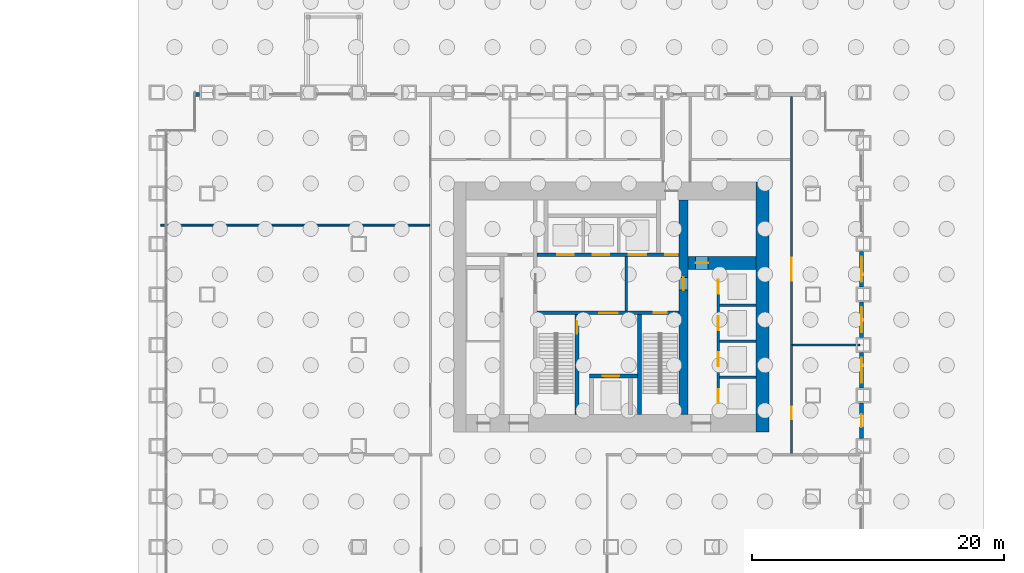
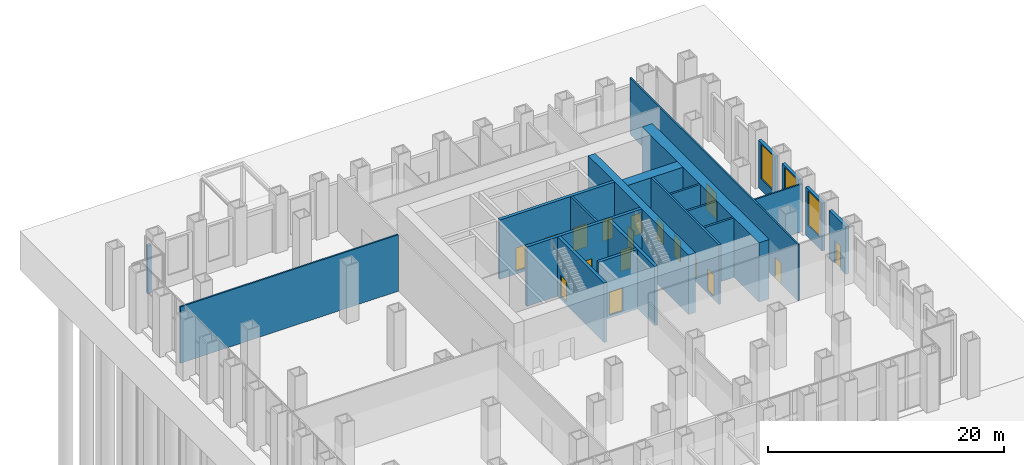
# One storey, part 13 of 17: 21 walls, 17 doors, 3 windows, 20 openings.
"""IFC4 building model written with IfcOpenShell, lengths in metres."""

import ifcopenshell
import ifcopenshell.guid

model = None  # the IFC model being written
_history = None  # IfcOwnerHistory: only IFC2X3 demands one
_inside = {}  # id of a spatial element -> (the spatial element, [elements in it])
_under = {}  # id of a project, library or spatial element -> (it, [spatial elements below it])
_declared = {}  # id of a project -> (the project, [libraries it declares])
_typed = {}  # id of a type object -> (the type object, [elements of that type])
_made_of = {}  # id of a material, layer set ... -> (it, [elements and type objects made of it])


def new_model(schema):
    """Start an empty IFC model of exactly this schema.

    Asked for "IFC4X3", IfcOpenShell would pick the latest addendum, in which some entities
    have other attributes; the version numbers below select the first issue.
    IFC2X3 requires an IfcOwnerHistory on every rooted entity: one is made here for all.
    """
    global model, _history
    if schema == "IFC4X3":
        model = ifcopenshell.file(schema_version=(4, 3, 0, 0))
    else:
        model = ifcopenshell.file(schema=schema)
    _inside.clear()
    _under.clear()
    _declared.clear()
    _typed.clear()
    _made_of.clear()
    _history = None
    if model.schema == "IFC2X3":
        org = make("IfcOrganization", Name="unknown")
        user = make(
            "IfcPersonAndOrganization",
            ThePerson=make("IfcPerson", FamilyName="unknown"),
            TheOrganization=org,
        )
        app = make(
            "IfcApplication",
            ApplicationDeveloper=org,
            Version="unknown",
            ApplicationFullName="unknown",
            ApplicationIdentifier="unknown",
        )
        _history = make(
            "IfcOwnerHistory",
            OwningUser=user,
            OwningApplication=app,
            ChangeAction="ADDED",
            CreationDate=0,
        )
    return model


def make(cls, **values):
    """One entity of the class cls with the attributes given. An attribute that is None is left unset."""
    return model.create_entity(
        cls, **{name: value for name, value in values.items() if value is not None}
    )


def rooted(cls, **values):
    """An entity with a GlobalId (a new one), such as an element, a storey or a relation."""
    return make(cls, GlobalId=ifcopenshell.guid.new(), OwnerHistory=_history, **values)


def si_unit(unit_type, name, prefix=None):
    """IfcSIUnit, for example si_unit("LENGTHUNIT", "METRE", prefix="MILLI")."""
    return make("IfcSIUnit", UnitType=unit_type, Prefix=prefix, Name=name)


def assignment(units):
    """IfcUnitAssignment: the units of a project."""
    return None if units is None else make("IfcUnitAssignment", Units=units)


def point(xyz):
    """IfcCartesianPoint."""
    return None if xyz is None else make("IfcCartesianPoint", Coordinates=xyz)


def direction(xyz):
    """IfcDirection."""
    return None if xyz is None else make("IfcDirection", DirectionRatios=xyz)


def frame(location, z_axis=None, x_axis=None):
    """IfcAxis2Placement3D, a coordinate frame: its origin and axes. An axis left out is left unset."""
    return make(
        "IfcAxis2Placement3D",
        Location=point(location),
        Axis=direction(z_axis),
        RefDirection=direction(x_axis),
    )


def frame_2d(location, x_axis=None):
    """IfcAxis2Placement2D, a coordinate frame in the plane: its origin and x axis."""
    return make(
        "IfcAxis2Placement2D", Location=point(location), RefDirection=direction(x_axis)
    )


def origin():
    """The frame at (0, 0, 0) with its axes left unset."""
    return frame((0.0, 0.0, 0.0))


def place(relative_to, where):
    """IfcLocalPlacement: puts the frame where relative to a parent placement (None: the world)."""
    return make(
        "IfcLocalPlacement", PlacementRelTo=relative_to, RelativePlacement=where
    )


def context(
    kind, dimensions, precision=None, world=None, true_north=None, identifier=None
):
    """IfcGeometricRepresentationContext, for example the 3D "Model" context."""
    return make(
        "IfcGeometricRepresentationContext",
        ContextIdentifier=identifier,
        ContextType=kind,
        CoordinateSpaceDimension=dimensions,
        Precision=precision,
        WorldCoordinateSystem=world,
        TrueNorth=true_north,
    )


def subcontext(parent, identifier, kind, view, scale=None):
    """IfcGeometricRepresentationSubContext, for example "Body" below "Model"."""
    return make(
        "IfcGeometricRepresentationSubContext",
        ContextIdentifier=identifier,
        ContextType=kind,
        ParentContext=parent,
        TargetScale=scale,
        TargetView=view,
    )


def project(units=None, contexts=None):
    """IfcProject with its units and contexts."""
    return rooted(
        "IfcProject",
        Name="project",
        RepresentationContexts=contexts,
        UnitsInContext=assignment(units),
    )


def spatial(cls, under=None, at=None, **own):
    """A site, building, storey or space (cls), placed at a placement, below another one or the project."""
    s = rooted(cls, ObjectPlacement=at, **own)
    if under is not None:
        _under.setdefault(under.id(), (under, []))[1].append(s)
    return s


def profile(cls, at=None, kind="AREA", **sizes):
    """A parametric profile (cls). Its sizes go by their IFC names, for example OverallWidth=200.0."""
    return make(cls, ProfileType=kind, Position=at, **sizes)


def rectangle(**sizes):
    """IfcRectangleProfileDef."""
    return profile("IfcRectangleProfileDef", **sizes)


def extrude(swept, where, along, depth):
    """IfcExtrudedAreaSolid: the profile swept, set in the frame where, extruded along a direction by depth."""
    return make(
        "IfcExtrudedAreaSolid",
        SweptArea=swept,
        Position=where,
        ExtrudedDirection=direction(along),
        Depth=depth,
    )


def shape(context_of_items, identifier, shape_type, items):
    """IfcShapeRepresentation: the items that make up one representation, for example the "Body"."""
    return make(
        "IfcShapeRepresentation",
        ContextOfItems=context_of_items,
        RepresentationIdentifier=identifier,
        RepresentationType=shape_type,
        Items=items,
    )


def material(Name=None, Category=None):
    """IfcMaterial."""
    return make("IfcMaterial", Name=Name, Category=Category)


def layer(
    of_material, thickness, ventilated=None, Name=None, Category=None, Priority=None
):
    """IfcMaterialLayer: one layer of a wall or slab, of a material (None: an air gap)."""
    return make(
        "IfcMaterialLayer",
        Material=of_material,
        LayerThickness=thickness,
        IsVentilated=ventilated,
        Name=Name,
        Category=Category,
        Priority=Priority,
    )


def layer_set(layers, Name=None):
    """IfcMaterialLayerSet."""
    return make("IfcMaterialLayerSet", MaterialLayers=layers, LayerSetName=Name)


def made_of(thing, what):
    """Note that an element or type object is made of a material, layer set ...; save() writes the relation."""
    if what is not None:
        _made_of.setdefault(what.id(), (what, []))[1].append(thing)
    return thing


def type_object(cls, material=None, **own):
    """A type object (cls), such as IfcWallType, which elements share."""
    return made_of(rooted(cls, **own), material)


def element(
    cls,
    number,
    at=None,
    inside=None,
    cuts=None,
    type_object=None,
    material=None,
    context=None,
    identifier="Body",
    shape_type=None,
    held_by="IfcProductDefinitionShape",
    body=None,
    shapes=None,
    **own,
):
    """One element of the class cls, such as IfcWall. Its Tag is "e" and its number.

    at: its placement. inside: the storey or other place that contains it. cuts: it is an
    opening in that element (IfcRelVoidsElement). A single representation is given by context,
    identifier, shape_type and body (its items); several are given by shapes. held_by: the class
    of the entity that holds the representations. save() writes the other relations.
    """
    e = rooted(cls, Tag="e%d" % number, ObjectPlacement=at, **own)
    if body is not None:
        shapes = [shape(context, identifier, shape_type, body)]
    if shapes is not None:
        e.Representation = make(held_by, Representations=shapes)
    if inside is not None:
        _inside.setdefault(inside.id(), (inside, []))[1].append(e)
    if cuts is not None:
        rooted(
            "IfcRelVoidsElement", RelatingBuildingElement=cuts, RelatedOpeningElement=e
        )
    if type_object is not None:
        _typed.setdefault(type_object.id(), (type_object, []))[1].append(e)
    return made_of(e, material)


def fill(opening, filler):
    """IfcRelFillsElement: the door or window that sits in an opening."""
    return rooted(
        "IfcRelFillsElement",
        RelatingOpeningElement=opening,
        RelatedBuildingElement=filler,
    )


def aggregate(whole, parts):
    """IfcRelAggregates: a whole, such as a stair, and the parts it consists of."""
    return rooted("IfcRelAggregates", RelatingObject=whole, RelatedObjects=parts)


def save(model, path):
    """Write the relations noted so far, then the file.

    IfcRelAggregates (storeys below a building ...), IfcRelContainedInSpatialStructure (elements
    in a storey), IfcRelDefinesByType, IfcRelAssociatesMaterial and IfcRelDeclares: one each for
    every whole, place, type object, material and project.
    """
    for whole, parts in _under.values():
        aggregate(whole, parts)
    for where, things in _inside.values():
        rooted(
            "IfcRelContainedInSpatialStructure",
            RelatedElements=things,
            RelatingStructure=where,
        )
    for kind, things in _typed.values():
        rooted("IfcRelDefinesByType", RelatedObjects=things, RelatingType=kind)
    for what, things in _made_of.values():
        rooted("IfcRelAssociatesMaterial", RelatedObjects=things, RelatingMaterial=what)
    for by, libraries in _declared.values():
        rooted("IfcRelDeclares", RelatingContext=by, RelatedDefinitions=libraries)
    model.write(path)


model = new_model("IFC4")

# Units and contexts
model_context = context("Model", 3, precision=1e-05, world=origin(), true_north=direction((0.0, 1.0)))
body_context = subcontext(model_context, "Body", "Model", "MODEL_VIEW")
ifc_project = project(units=[si_unit("LENGTHUNIT", "METRE"), si_unit("AREAUNIT", "SQUARE_METRE"), si_unit("VOLUMEUNIT", "CUBIC_METRE"), si_unit("PLANEANGLEUNIT", "RADIAN"), si_unit("MASSUNIT", "GRAM", prefix="KILO")], contexts=[model_context])

# Site, building, storey
site_placement = place(None, origin())
site = spatial("IfcSite", under=ifc_project, at=site_placement, CompositionType="ELEMENT")
building_placement = place(site_placement, origin())
building = spatial("IfcBuilding", under=site, at=building_placement, Name="Rimbunsela Tower", CompositionType="ELEMENT")
storey_placement = place(building_placement, origin())
storey = spatial("IfcBuildingStorey", under=building, at=storey_placement, Name="L00", CompositionType="ELEMENT", Elevation=0.0)

# Wall, openings, doors
ifc_material_1 = material(Name="Concrete fc' 80 MPa", Category="concrete")
ifc_layer_1 = layer(ifc_material_1, 0.300048828125)
ifc_layer_set_1 = layer_set([ifc_layer_1], Name="Core internal wall 300")
wall_type_1 = type_object("IfcWallType", Name="Core internal wall 300", PredefinedType="SHEAR", material=ifc_layer_set_1)
wall_1_placement = place(storey_placement, frame((24.14990234375, 26.550048828125, -0.300048828125), z_axis=(0.0, 0.0, 1.0), x_axis=(1.0, 0.0, 0.0)))
wall_1 = element("IfcWall", 1, at=wall_1_placement, inside=storey, type_object=wall_type_1, Name="Core wall lobby south", PredefinedType="SHEAR", context=body_context, shape_type="SweptSolid", body=[
    extrude(rectangle(XDim=11.25, YDim=0.300048828125, at=frame_2d((5.625, 0.0))), origin(), (0.0, 0.0, 1.0), 6.150146484375),
])
opening_1_placement = place(wall_1_placement, frame((9.25, 0.0, 0.300048828125)))
opening_1 = element("IfcOpeningElement", 2, at=opening_1_placement, cuts=wall_1, Name="Opening D01", PredefinedType="OPENING", context=body_context, shape_type="SweptSolid", body=[
    extrude(rectangle(XDim=1.0, YDim=2.199951171875, at=frame_2d((0.5, 1.10009765625))), frame((0.0, 0.159912109375, 0.0), z_axis=(0.0, -1.0, 0.0), x_axis=(1.0, 0.0, 0.0)), (0.0, 0.0, 1.0), 0.320068359375),
])
opening_2_placement = place(wall_1_placement, frame((4.89990234375, 0.0, 0.300048828125)))
opening_2 = element("IfcOpeningElement", 3, at=opening_2_placement, cuts=wall_1, Name="Opening D03", PredefinedType="OPENING", context=body_context, shape_type="SweptSolid", body=[
    extrude(rectangle(XDim=1.5, YDim=2.39990234375, at=frame_2d((0.75, 1.199951171875))), frame((0.0, 0.159912109375, 0.0), z_axis=(0.0, -1.0, 0.0), x_axis=(1.0, 0.0, 0.0)), (0.0, 0.0, 1.0), 0.320068359375),
])
ifc_material_2 = material(Name="Steel door, fire rated", Category="steel")
door_type_1 = type_object("IfcDoorType", Name="Core lobby door 1500", OperationType="DOUBLE_DOOR_DOUBLE_SWING", PredefinedType="DOOR", material=ifc_material_2)
door_1_placement = place(opening_2_placement, origin())
door_1 = element("IfcDoor", 4, at=door_1_placement, inside=storey, type_object=door_type_1, Name="Firefighting lobby door", OperationType="DOUBLE_DOOR_DOUBLE_SWING", OverallHeight=2.39990234375, OverallWidth=1.5, PredefinedType="DOOR", context=body_context, shape_type="SweptSolid", body=[
    extrude(rectangle(XDim=1.5, YDim=2.39990234375, at=frame_2d((0.75, 1.199951171875))), frame((0.0, 0.02490234375, 0.0), z_axis=(0.0, -1.0, 0.0), x_axis=(1.0, 0.0, 0.0)), (0.0, 0.0, 1.0), 0.050048828125),
])
fill(opening_2, door_1)
ifc_material_3 = material(Name="Steel door, fire rated", Category="steel")
door_type_2 = type_object("IfcDoorType", Name="Stair door 1000", OperationType="SINGLE_SWING_RIGHT", PredefinedType="DOOR", material=ifc_material_3)
door_2_placement = place(opening_1_placement, frame((1.0, 0.0, 0.0), z_axis=(0.0, 0.0, 1.0), x_axis=(-1.0, 0.0, 0.0)))
door_2 = element("IfcDoor", 5, at=door_2_placement, inside=storey, type_object=door_type_2, Name="Stair B door", OperationType="SINGLE_SWING_RIGHT", OverallHeight=2.199951171875, OverallWidth=1.0, PredefinedType="DOOR", context=body_context, shape_type="SweptSolid", body=[
    extrude(rectangle(XDim=1.0, YDim=2.199951171875, at=frame_2d((0.5, 1.10009765625))), frame((0.0, 0.02490234375, 0.0), z_axis=(0.0, -1.0, 0.0), x_axis=(1.0, 0.0, 0.0)), (0.0, 0.0, 1.0), 0.050048828125),
])
fill(opening_1, door_2)

# Wall, opening, door
wall_2_placement = place(storey_placement, frame((27.300048828125, 18.5, -0.300048828125), z_axis=(0.0, 0.0, 1.0), x_axis=(0.0, 1.0, 0.0)))
wall_2 = element("IfcWall", 6, at=wall_2_placement, inside=storey, type_object=wall_type_1, Name="Stair A enclosure", PredefinedType="SHEAR", context=body_context, shape_type="SweptSolid", body=[
    extrude(rectangle(XDim=7.89990234375, YDim=0.300048828125, at=frame_2d((3.949951171875, 0.0))), origin(), (0.0, 0.0, 1.0), 6.150146484375),
])
opening_3_placement = place(wall_2_placement, frame((6.39990234375, 0.0, 0.300048828125)))
opening_3 = element("IfcOpeningElement", 7, at=opening_3_placement, cuts=wall_2, Name="Opening D01", PredefinedType="OPENING", context=body_context, shape_type="SweptSolid", body=[
    extrude(rectangle(XDim=1.0, YDim=2.199951171875, at=frame_2d((0.5, 1.10009765625))), frame((0.0, 0.159912109375, 0.0), z_axis=(0.0, -1.0, 0.0), x_axis=(1.0, 0.0, 0.0)), (0.0, 0.0, 1.0), 0.320068359375),
])
door_3_placement = place(opening_3_placement, origin())
door_3 = element("IfcDoor", 8, at=door_3_placement, inside=storey, type_object=door_type_2, Name="Stair A door", OperationType="SINGLE_SWING_RIGHT", OverallHeight=2.199951171875, OverallWidth=1.0, PredefinedType="DOOR", context=body_context, shape_type="SweptSolid", body=[
    extrude(rectangle(XDim=1.0, YDim=2.199951171875, at=frame_2d((0.5, 1.10009765625))), frame((0.0, 0.02490234375, 0.0), z_axis=(0.0, -1.0, 0.0), x_axis=(1.0, 0.0, 0.0)), (0.0, 0.0, 1.0), 0.050048828125),
])
fill(opening_3, door_3)

# Wall
wall_3_placement = place(storey_placement, frame((32.25, 18.5, -0.300048828125), z_axis=(0.0, 0.0, 1.0), x_axis=(0.0, 1.0, 0.0)))
element("IfcWall", 9, at=wall_3_placement, inside=storey, type_object=wall_type_1, Name="Stair B enclosure", PredefinedType="SHEAR", context=body_context, shape_type="SweptSolid", body=[
    extrude(rectangle(XDim=7.89990234375, YDim=0.300048828125, at=frame_2d((3.949951171875, 0.0))), origin(), (0.0, 0.0, 1.0), 6.150146484375),
])

# Wall, opening, door
wall_4_placement = place(storey_placement, frame((28.300048828125, 21.550048828125, -0.300048828125), z_axis=(0.0, 0.0, 1.0), x_axis=(1.0, 0.0, 0.0)))
wall_4 = element("IfcWall", 10, at=wall_4_placement, inside=storey, type_object=wall_type_1, Name="Firefighting lift shaft front", PredefinedType="SHEAR", context=body_context, shape_type="SweptSolid", body=[
    extrude(rectangle(XDim=3.800048828125, YDim=0.300048828125, at=frame_2d((1.89990234375, 0.0))), origin(), (0.0, 0.0, 1.0), 6.150146484375),
])
opening_4_placement = place(wall_4_placement, frame((1.050048828125, 0.0, 0.300048828125)))
opening_4 = element("IfcOpeningElement", 11, at=opening_4_placement, cuts=wall_4, Name="Opening LD2", PredefinedType="OPENING", context=body_context, shape_type="SweptSolid", body=[
    extrude(rectangle(XDim=1.300048828125, YDim=2.39990234375, at=frame_2d((0.64990234375, 1.199951171875))), frame((0.0, 0.159912109375, 0.0), z_axis=(0.0, -1.0, 0.0), x_axis=(1.0, 0.0, 0.0)), (0.0, 0.0, 1.0), 0.320068359375),
])
ifc_material_4 = material(Name="Steel door, fire rated", Category="steel")
door_type_3 = type_object("IfcDoorType", Name="Lift landing door 1300", OperationType="DOUBLE_DOOR_SLIDING", PredefinedType="DOOR", material=ifc_material_4)
door_4_placement = place(opening_4_placement, origin())
door_4 = element("IfcDoor", 12, at=door_4_placement, inside=storey, type_object=door_type_3, Name="Lift landing door FL1", OperationType="DOUBLE_DOOR_SLIDING", OverallHeight=2.39990234375, OverallWidth=1.300048828125, PredefinedType="DOOR", context=body_context, shape_type="SweptSolid", body=[
    extrude(rectangle(XDim=1.300048828125, YDim=2.39990234375, at=frame_2d((0.64990234375, 1.199951171875))), frame((0.0, 0.02490234375, 0.0), z_axis=(0.0, -1.0, 0.0), x_axis=(1.0, 0.0, 0.0)), (0.0, 0.0, 1.0), 0.050048828125),
])
fill(opening_4, door_4)

# Wall, openings, doors
wall_5_placement = place(storey_placement, frame((24.14990234375, 31.14990234375, -0.300048828125), z_axis=(0.0, 0.0, 1.0), x_axis=(1.0, 0.0, 0.0)))
wall_5 = element("IfcWall", 13, at=wall_5_placement, inside=storey, type_object=wall_type_1, Name="Lift shaft front north", PredefinedType="SHEAR", context=body_context, shape_type="SweptSolid", body=[
    extrude(rectangle(XDim=11.25, YDim=0.300048828125, at=frame_2d((5.625, 0.0))), origin(), (0.0, 0.0, 1.0), 6.150146484375),
])
opening_5_placement = place(wall_5_placement, frame((10.14990234375, 0.0, 0.300048828125)))
opening_5 = element("IfcOpeningElement", 14, at=opening_5_placement, cuts=wall_5, Name="Opening D01", PredefinedType="OPENING", context=body_context, shape_type="SweptSolid", body=[
    extrude(rectangle(XDim=1.0, YDim=2.199951171875, at=frame_2d((0.5, 1.10009765625))), frame((0.0, 0.159912109375, 0.0), z_axis=(0.0, -1.0, 0.0), x_axis=(1.0, 0.0, 0.0)), (0.0, 0.0, 1.0), 0.320068359375),
])
opening_6_placement = place(wall_5_placement, frame((1.60009765625, 0.0, 0.300048828125)))
opening_6 = element("IfcOpeningElement", 15, at=opening_6_placement, cuts=wall_5, Name="Opening LD2", PredefinedType="OPENING", context=body_context, shape_type="SweptSolid", body=[
    extrude(rectangle(XDim=1.300048828125, YDim=2.39990234375, at=frame_2d((0.64990234375, 1.199951171875))), frame((0.0, 0.159912109375, 0.0), z_axis=(0.0, -1.0, 0.0), x_axis=(1.0, 0.0, 0.0)), (0.0, 0.0, 1.0), 0.320068359375),
])
opening_7_placement = place(wall_5_placement, frame((4.39990234375, 0.0, 0.300048828125)))
opening_7 = element("IfcOpeningElement", 16, at=opening_7_placement, cuts=wall_5, Name="Opening LD2", PredefinedType="OPENING", context=body_context, shape_type="SweptSolid", body=[
    extrude(rectangle(XDim=1.300048828125, YDim=2.39990234375, at=frame_2d((0.64990234375, 1.199951171875))), frame((0.0, 0.159912109375, 0.0), z_axis=(0.0, -1.0, 0.0), x_axis=(1.0, 0.0, 0.0)), (0.0, 0.0, 1.0), 0.320068359375),
])
opening_8_placement = place(wall_5_placement, frame((7.25, 0.0, 0.300048828125)))
opening_8 = element("IfcOpeningElement", 17, at=opening_8_placement, cuts=wall_5, Name="Opening LD3", PredefinedType="OPENING", context=body_context, shape_type="SweptSolid", body=[
    extrude(rectangle(XDim=1.39990234375, YDim=2.39990234375, at=frame_2d((0.699951171875, 1.199951171875))), frame((0.0, 0.159912109375, 0.0), z_axis=(0.0, -1.0, 0.0), x_axis=(1.0, 0.0, 0.0)), (0.0, 0.0, 1.0), 0.320068359375),
])
door_5_placement = place(opening_6_placement, origin())
door_5 = element("IfcDoor", 18, at=door_5_placement, inside=storey, type_object=door_type_3, Name="Lift landing door SH1", OperationType="DOUBLE_DOOR_SLIDING", OverallHeight=2.39990234375, OverallWidth=1.300048828125, PredefinedType="DOOR", context=body_context, shape_type="SweptSolid", body=[
    extrude(rectangle(XDim=1.300048828125, YDim=2.39990234375, at=frame_2d((0.64990234375, 1.199951171875))), frame((0.0, 0.02490234375, 0.0), z_axis=(0.0, -1.0, 0.0), x_axis=(1.0, 0.0, 0.0)), (0.0, 0.0, 1.0), 0.050048828125),
])
fill(opening_6, door_5)
door_6_placement = place(opening_7_placement, origin())
door_6 = element("IfcDoor", 19, at=door_6_placement, inside=storey, type_object=door_type_3, Name="Lift landing door SH2", OperationType="DOUBLE_DOOR_SLIDING", OverallHeight=2.39990234375, OverallWidth=1.300048828125, PredefinedType="DOOR", context=body_context, shape_type="SweptSolid", body=[
    extrude(rectangle(XDim=1.300048828125, YDim=2.39990234375, at=frame_2d((0.64990234375, 1.199951171875))), frame((0.0, 0.02490234375, 0.0), z_axis=(0.0, -1.0, 0.0), x_axis=(1.0, 0.0, 0.0)), (0.0, 0.0, 1.0), 0.050048828125),
])
fill(opening_7, door_6)
ifc_material_5 = material(Name="Steel door, fire rated", Category="steel")
door_type_4 = type_object("IfcDoorType", Name="Lift landing door 1400", OperationType="DOUBLE_DOOR_SLIDING", PredefinedType="DOOR", material=ifc_material_5)
door_7_placement = place(opening_8_placement, origin())
door_7 = element("IfcDoor", 20, at=door_7_placement, inside=storey, type_object=door_type_4, Name="Lift landing door FL2", OperationType="DOUBLE_DOOR_SLIDING", OverallHeight=2.39990234375, OverallWidth=1.39990234375, PredefinedType="DOOR", context=body_context, shape_type="SweptSolid", body=[
    extrude(rectangle(XDim=1.39990234375, YDim=2.39990234375, at=frame_2d((0.699951171875, 1.199951171875))), frame((0.0, 0.02490234375, 0.0), z_axis=(0.0, -1.0, 0.0), x_axis=(1.0, 0.0, 0.0)), (0.0, 0.0, 1.0), 0.050048828125),
])
fill(opening_8, door_7)
door_8_placement = place(opening_5_placement, origin())
door_8 = element("IfcDoor", 21, at=door_8_placement, inside=storey, type_object=door_type_2, Name="Exit passage door", OperationType="SINGLE_SWING_RIGHT", OverallHeight=2.199951171875, OverallWidth=1.0, PredefinedType="DOOR", context=body_context, shape_type="SweptSolid", body=[
    extrude(rectangle(XDim=1.0, YDim=2.199951171875, at=frame_2d((0.5, 1.10009765625))), frame((0.0, 0.02490234375, 0.0), z_axis=(0.0, -1.0, 0.0), x_axis=(1.0, 0.0, 0.0)), (0.0, 0.0, 1.0), 0.050048828125),
])
fill(opening_5, door_8)

# Wall
ifc_material_6 = material(Name="Concrete fc' 80 MPa", Category="concrete")
ifc_layer_2 = layer(ifc_material_6, 1.0)
ifc_layer_set_2 = layer_set([ifc_layer_2], Name="Core wall 1000")
wall_type_2 = type_object("IfcWallType", Name="Core wall 1000", PredefinedType="SHEAR", material=ifc_layer_set_2)
wall_6_placement = place(storey_placement, frame((42.0, 17.10009765625, -0.300048828125), z_axis=(0.0, 0.0, 1.0), x_axis=(0.0, 1.0, 0.0)))
element("IfcWall", 22, at=wall_6_placement, inside=storey, type_object=wall_type_2, Name="Core wall east", PredefinedType="SHEAR", context=body_context, shape_type="SweptSolid", body=[
    extrude(rectangle(XDim=19.7998046875, YDim=1.0, at=frame_2d((9.89990234375, 0.0))), origin(), (0.0, 0.0, 1.0), 6.150146484375),
])

# Wall, opening, door
wall_7_placement = place(storey_placement, frame((36.10009765625, 30.5, -0.300048828125), z_axis=(0.0, 0.0, 1.0), x_axis=(1.0, 0.0, 0.0)))
wall_7 = element("IfcWall", 23, at=wall_7_placement, inside=storey, type_object=wall_type_2, Name="Lift shaft rear east", PredefinedType="SHEAR", context=body_context, shape_type="SweptSolid", body=[
    extrude(rectangle(XDim=5.39990234375, YDim=1.0, at=frame_2d((2.699951171875, 0.0))), origin(), (0.0, 0.0, 1.0), 6.150146484375),
])
opening_9_placement = place(wall_7_placement, frame((0.60009765625, 0.0, 0.300048828125)))
opening_9 = element("IfcOpeningElement", 24, at=opening_9_placement, cuts=wall_7, Name="Opening D19", PredefinedType="OPENING", context=body_context, shape_type="SweptSolid", body=[
    extrude(rectangle(XDim=1.0, YDim=2.199951171875, at=frame_2d((0.5, 1.10009765625))), frame((0.0, 0.510009765625, 0.0), z_axis=(0.0, -1.0, 0.0), x_axis=(1.0, 0.0, 0.0)), (0.0, 0.0, 1.0), 1.02001953125),
])
ifc_material_7 = material(Name="Steel door, fire rated", Category="steel")
door_type_5 = type_object("IfcDoorType", Name="Service door 1000 fire rated", OperationType="SINGLE_SWING_LEFT", PredefinedType="DOOR", material=ifc_material_7)
door_9_placement = place(opening_9_placement, origin())
door_9 = element("IfcDoor", 25, at=door_9_placement, inside=storey, type_object=door_type_5, Name="Communications room door", OperationType="SINGLE_SWING_LEFT", OverallHeight=2.199951171875, OverallWidth=1.0, PredefinedType="DOOR", context=body_context, shape_type="SweptSolid", body=[
    extrude(rectangle(XDim=1.0, YDim=2.199951171875, at=frame_2d((0.5, 1.10009765625))), frame((0.0, 0.02490234375, 0.0), z_axis=(0.0, -1.0, 0.0), x_axis=(1.0, 0.0, 0.0)), (0.0, 0.0, 1.0), 0.050048828125),
])
fill(opening_9, door_9)

ifc_material_8 = material(Name="Concrete fc' 80 MPa", Category="concrete")
ifc_layer_3 = layer(ifc_material_8, 0.699951171875)
ifc_layer_set_3 = layer_set([ifc_layer_3], Name="Core wall 700 east")
wall_type_3 = type_object("IfcWallType", Name="Core wall 700 east", PredefinedType="SHEAR", material=ifc_layer_set_3)
wall_8_placement = place(storey_placement, frame((35.75, 18.5, -0.300048828125), z_axis=(0.0, 0.0, 1.0), x_axis=(0.0, 1.0, 0.0)))
wall_8 = element("IfcWall", 26, at=wall_8_placement, inside=storey, type_object=wall_type_3, Name="Core wall low-rise bank", PredefinedType="SHEAR", context=body_context, shape_type="SweptSolid", body=[
    extrude(rectangle(XDim=17.0, YDim=0.699951171875, at=frame_2d((8.5, 0.0))), origin(), (0.0, 0.0, 1.0), 6.150146484375),
])
opening_10_placement = place(wall_8_placement, frame((9.85009765625, 0.0, 0.300048828125)))
opening_10 = element("IfcOpeningElement", 27, at=opening_10_placement, cuts=wall_8, Name="Opening D01", PredefinedType="OPENING", context=body_context, shape_type="SweptSolid", body=[
    extrude(rectangle(XDim=1.0, YDim=2.199951171875, at=frame_2d((0.5, 1.10009765625))), frame((0.0, 0.35986328125, 0.0), z_axis=(0.0, -1.0, 0.0), x_axis=(1.0, 0.0, 0.0)), (0.0, 0.0, 1.0), 0.719970703125),
])
door_10_placement = place(opening_10_placement, origin())
door_10 = element("IfcDoor", 28, at=door_10_placement, inside=storey, type_object=door_type_2, Name="Firefighting lobby 2 door", OperationType="SINGLE_SWING_RIGHT", OverallHeight=2.199951171875, OverallWidth=1.0, PredefinedType="DOOR", context=body_context, shape_type="SweptSolid", body=[
    extrude(rectangle(XDim=1.0, YDim=2.199951171875, at=frame_2d((0.5, 1.10009765625))), frame((0.0, 0.02490234375, 0.0), z_axis=(0.0, -1.0, 0.0), x_axis=(1.0, 0.0, 0.0)), (0.0, 0.0, 1.0), 0.050048828125),
])
fill(opening_10, door_10)

# Wall
ifc_material_9 = material(Name="Gypsum board on steel studs", Category="steel")
ifc_layer_4 = layer(ifc_material_9, 0.14990234375)
ifc_layer_set_4 = layer_set([ifc_layer_4], Name="Corridor partition 150")
wall_type_4 = type_object("IfcWallType", Name="Corridor partition 150", PredefinedType="PARTITIONING", material=ifc_layer_set_4)
wall_9_placement = place(storey_placement, frame((-5.699951171875, 33.5, 0.0), z_axis=(0.0, 0.0, 1.0), x_axis=(1.0, 0.0, 0.0)))
element("IfcWall", 29, at=wall_9_placement, inside=storey, type_object=wall_type_4, Name="Loading bay wall south", PredefinedType="PARTITIONING", context=body_context, shape_type="SweptSolid", body=[
    extrude(rectangle(XDim=21.324951171875, YDim=0.14990234375, at=frame_2d((10.66259765625, 0.0))), origin(), (0.0, 0.0, 1.0), 5.85009765625),
])

# Wall, openings, doors
wall_10_placement = place(storey_placement, frame((44.300048828125, 15.22509765625, 0.0), z_axis=(0.0, 0.0, 1.0), x_axis=(0.0, 1.0, 0.0)))
wall_10 = element("IfcWall", 30, at=wall_10_placement, inside=storey, type_object=wall_type_4, Name="Fire command centre and retail wall", PredefinedType="PARTITIONING", context=body_context, shape_type="SweptSolid", body=[
    extrude(rectangle(XDim=28.474853515625, YDim=0.14990234375, at=frame_2d((14.2373046875, 0.0))), origin(), (0.0, 0.0, 1.0), 5.85009765625),
])
opening_11_placement = place(wall_10_placement, frame((2.875, 0.0, 0.0)))
opening_11 = element("IfcOpeningElement", 31, at=opening_11_placement, cuts=wall_10, Name="Opening D19", PredefinedType="OPENING", context=body_context, shape_type="SweptSolid", body=[
    extrude(rectangle(XDim=1.0, YDim=2.199951171875, at=frame_2d((0.5, 1.10009765625))), frame((0.0, 0.0849609375, 0.0), z_axis=(0.0, -1.0, 0.0), x_axis=(1.0, 0.0, 0.0)), (0.0, 0.0, 1.0), 0.169921875),
])
opening_12_placement = place(wall_10_placement, frame((13.875, 0.0, 0.0)))
opening_12 = element("IfcOpeningElement", 32, at=opening_12_placement, cuts=wall_10, Name="Opening D14", PredefinedType="OPENING", context=body_context, shape_type="SweptSolid", body=[
    extrude(rectangle(XDim=1.800048828125, YDim=2.699951171875, at=frame_2d((0.89990234375, 1.35009765625))), frame((0.0, 0.0849609375, 0.0), z_axis=(0.0, -1.0, 0.0), x_axis=(1.0, 0.0, 0.0)), (0.0, 0.0, 1.0), 0.169921875),
])
ifc_material_10 = material(Name="Glazed aluminium door, fire rated", Category="aluminium")
door_type_6 = type_object("IfcDoorType", Name="Retail door 1800 glazed", OperationType="DOUBLE_DOOR_DOUBLE_SWING", PredefinedType="DOOR", material=ifc_material_10)
door_11_placement = place(opening_12_placement, origin())
door_11 = element("IfcDoor", 33, at=door_11_placement, inside=storey, type_object=door_type_6, Name="Retail unit door", OperationType="DOUBLE_DOOR_DOUBLE_SWING", OverallHeight=2.699951171875, OverallWidth=1.800048828125, PredefinedType="DOOR", context=body_context, shape_type="SweptSolid", body=[
    extrude(rectangle(XDim=1.800048828125, YDim=2.699951171875, at=frame_2d((0.89990234375, 1.35009765625))), frame((0.0, 0.02490234375, 0.0), z_axis=(0.0, -1.0, 0.0), x_axis=(1.0, 0.0, 0.0)), (0.0, 0.0, 1.0), 0.050048828125),
])
fill(opening_12, door_11)
door_12_placement = place(opening_11_placement, origin())
door_12 = element("IfcDoor", 34, at=door_12_placement, inside=storey, type_object=door_type_5, Name="Fire command centre door", OperationType="SINGLE_SWING_LEFT", OverallHeight=2.199951171875, OverallWidth=1.0, PredefinedType="DOOR", context=body_context, shape_type="SweptSolid", body=[
    extrude(rectangle(XDim=1.0, YDim=2.199951171875, at=frame_2d((0.5, 1.10009765625))), frame((0.0, 0.02490234375, 0.0), z_axis=(0.0, -1.0, 0.0), x_axis=(1.0, 0.0, 0.0)), (0.0, 0.0, 1.0), 0.050048828125),
])
fill(opening_11, door_12)

# Wall
wall_11_placement = place(storey_placement, frame((44.375, 24.0, 0.0), z_axis=(0.0, 0.0, 1.0), x_axis=(1.0, 0.0, 0.0)))
element("IfcWall", 35, at=wall_11_placement, inside=storey, type_object=wall_type_4, Name="Fire command centre wall north", PredefinedType="PARTITIONING", context=body_context, shape_type="SweptSolid", body=[
    extrude(rectangle(XDim=5.324951171875, YDim=0.14990234375, at=frame_2d((2.66259765625, 0.0))), origin(), (0.0, 0.0, 1.0), 4.949951171875),
])

# Wall, openings, doors
ifc_material_11 = material(Name="Concrete blockwork", Category="masonry")
ifc_layer_5 = layer(ifc_material_11, 0.199951171875)
ifc_layer_set_5 = layer_set([ifc_layer_5], Name="Lift shaft wall 200")
wall_type_5 = type_object("IfcWallType", Name="Lift shaft wall 200", PredefinedType="SOLIDWALL", material=ifc_layer_set_5)
wall_12_placement = place(storey_placement, frame((38.5, 18.5, -0.300048828125), z_axis=(0.0, 0.0, 1.0), x_axis=(0.0, 1.0, 0.0)))
wall_12 = element("IfcWall", 36, at=wall_12_placement, inside=storey, type_object=wall_type_5, Name="Lift shaft front east", PredefinedType="SOLIDWALL", context=body_context, shape_type="SweptSolid", body=[
    extrude(rectangle(XDim=11.5, YDim=0.199951171875, at=frame_2d((5.75, 0.0))), origin(), (0.0, 0.0, 1.0), 6.150146484375),
])
opening_13_placement = place(wall_12_placement, frame((0.875, 0.0, 0.300048828125)))
opening_13 = element("IfcOpeningElement", 37, at=opening_13_placement, cuts=wall_12, Name="Opening LD1", PredefinedType="OPENING", context=body_context, shape_type="SweptSolid", body=[
    extrude(rectangle(XDim=1.10009765625, YDim=2.199951171875, at=frame_2d((0.550048828125, 1.10009765625))), frame((0.0, 0.10986328125, 0.0), z_axis=(0.0, -1.0, 0.0), x_axis=(1.0, 0.0, 0.0)), (0.0, 0.0, 1.0), 0.219970703125),
])
opening_14_placement = place(wall_12_placement, frame((3.824951171875, 0.0, 0.300048828125)))
opening_14 = element("IfcOpeningElement", 38, at=opening_14_placement, cuts=wall_12, Name="Opening LD1", PredefinedType="OPENING", context=body_context, shape_type="SweptSolid", body=[
    extrude(rectangle(XDim=1.10009765625, YDim=2.199951171875, at=frame_2d((0.550048828125, 1.10009765625))), frame((0.0, 0.10986328125, 0.0), z_axis=(0.0, -1.0, 0.0), x_axis=(1.0, 0.0, 0.0)), (0.0, 0.0, 1.0), 0.219970703125),
])
opening_15_placement = place(wall_12_placement, frame((6.675048828125, 0.0, 0.300048828125)))
opening_15 = element("IfcOpeningElement", 39, at=opening_15_placement, cuts=wall_12, Name="Opening LD1", PredefinedType="OPENING", context=body_context, shape_type="SweptSolid", body=[
    extrude(rectangle(XDim=1.10009765625, YDim=2.199951171875, at=frame_2d((0.550048828125, 1.10009765625))), frame((0.0, 0.10986328125, 0.0), z_axis=(0.0, -1.0, 0.0), x_axis=(1.0, 0.0, 0.0)), (0.0, 0.0, 1.0), 0.219970703125),
])
opening_16_placement = place(wall_12_placement, frame((9.574951171875, 0.0, 0.300048828125)))
opening_16 = element("IfcOpeningElement", 40, at=opening_16_placement, cuts=wall_12, Name="Opening LD1", PredefinedType="OPENING", context=body_context, shape_type="SweptSolid", body=[
    extrude(rectangle(XDim=1.10009765625, YDim=2.199951171875, at=frame_2d((0.550048828125, 1.10009765625))), frame((0.0, 0.10986328125, 0.0), z_axis=(0.0, -1.0, 0.0), x_axis=(1.0, 0.0, 0.0)), (0.0, 0.0, 1.0), 0.219970703125),
])
ifc_material_12 = material(Name="Steel door, fire rated", Category="steel")
door_type_7 = type_object("IfcDoorType", Name="Lift landing door 1100", OperationType="DOUBLE_DOOR_SLIDING", PredefinedType="DOOR", material=ifc_material_12)
door_13_placement = place(opening_13_placement, origin())
door_13 = element("IfcDoor", 41, at=door_13_placement, inside=storey, type_object=door_type_7, Name="Lift landing door LL1", OperationType="DOUBLE_DOOR_SLIDING", OverallHeight=2.199951171875, OverallWidth=1.10009765625, PredefinedType="DOOR", context=body_context, shape_type="SweptSolid", body=[
    extrude(rectangle(XDim=1.10009765625, YDim=2.199951171875, at=frame_2d((0.550048828125, 1.10009765625))), frame((0.0, 0.02490234375, 0.0), z_axis=(0.0, -1.0, 0.0), x_axis=(1.0, 0.0, 0.0)), (0.0, 0.0, 1.0), 0.050048828125),
])
fill(opening_13, door_13)
door_14_placement = place(opening_14_placement, origin())
door_14 = element("IfcDoor", 42, at=door_14_placement, inside=storey, type_object=door_type_7, Name="Lift landing door LL2", OperationType="DOUBLE_DOOR_SLIDING", OverallHeight=2.199951171875, OverallWidth=1.10009765625, PredefinedType="DOOR", context=body_context, shape_type="SweptSolid", body=[
    extrude(rectangle(XDim=1.10009765625, YDim=2.199951171875, at=frame_2d((0.550048828125, 1.10009765625))), frame((0.0, 0.02490234375, 0.0), z_axis=(0.0, -1.0, 0.0), x_axis=(1.0, 0.0, 0.0)), (0.0, 0.0, 1.0), 0.050048828125),
])
fill(opening_14, door_14)
door_15_placement = place(opening_15_placement, origin())
door_15 = element("IfcDoor", 43, at=door_15_placement, inside=storey, type_object=door_type_7, Name="Lift landing door LL3", OperationType="DOUBLE_DOOR_SLIDING", OverallHeight=2.199951171875, OverallWidth=1.10009765625, PredefinedType="DOOR", context=body_context, shape_type="SweptSolid", body=[
    extrude(rectangle(XDim=1.10009765625, YDim=2.199951171875, at=frame_2d((0.550048828125, 1.10009765625))), frame((0.0, 0.02490234375, 0.0), z_axis=(0.0, -1.0, 0.0), x_axis=(1.0, 0.0, 0.0)), (0.0, 0.0, 1.0), 0.050048828125),
])
fill(opening_15, door_15)
door_16_placement = place(opening_16_placement, origin())
door_16 = element("IfcDoor", 44, at=door_16_placement, inside=storey, type_object=door_type_7, Name="Lift landing door LL4", OperationType="DOUBLE_DOOR_SLIDING", OverallHeight=2.199951171875, OverallWidth=1.10009765625, PredefinedType="DOOR", context=body_context, shape_type="SweptSolid", body=[
    extrude(rectangle(XDim=1.10009765625, YDim=2.199951171875, at=frame_2d((0.550048828125, 1.10009765625))), frame((0.0, 0.02490234375, 0.0), z_axis=(0.0, -1.0, 0.0), x_axis=(1.0, 0.0, 0.0)), (0.0, 0.0, 1.0), 0.050048828125),
])
fill(opening_16, door_16)

# Walls
for number, where, z_axis, x_axis, name in (
    (45, (38.60009765625, 21.449951171875, -0.300048828125), (0.0, 0.0, 1.0), (1.0, 0.0, 0.0), "Lift shaft separation"),
    (46, (38.60009765625, 24.300048828125, -0.300048828125), (0.0, 0.0, 1.0), (1.0, 0.0, 0.0), "Lift shaft separation"),
    (47, (38.60009765625, 27.14990234375, -0.300048828125), (0.0, 0.0, 1.0), (1.0, 0.0, 0.0), "Lift shaft separation"),
):
    element("IfcWall", number, at=place(storey_placement, frame(where, z_axis=z_axis, x_axis=x_axis)), inside=storey, type_object=wall_type_5, Name=name, PredefinedType="SOLIDWALL", context=body_context, shape_type="SweptSolid", body=[
        extrude(rectangle(XDim=2.89990234375, YDim=0.199951171875, at=frame_2d((1.449951171875, 0.0))), origin(), (0.0, 0.0, 1.0), 6.150146484375),
    ])
wall_13_placement = place(storey_placement, frame((31.199951171875, 26.699951171875, 0.0), z_axis=(0.0, 0.0, 1.0), x_axis=(0.0, 1.0, 0.0)))
element("IfcWall", 48, at=wall_13_placement, inside=storey, type_object=wall_type_5, Name="Firefighting lobby 2 wall", PredefinedType="SOLIDWALL", context=body_context, shape_type="SweptSolid", body=[
    extrude(rectangle(XDim=4.300048828125, YDim=0.199951171875, at=frame_2d((2.14990234375, 0.0))), origin(), (0.0, 0.0, 1.0), 5.85009765625),
])

# Wall, opening, door
ifc_material_13 = material(Name="Precast concrete fc' 35 MPa", Category="concrete")
ifc_layer_6 = layer(ifc_material_13, 0.300048828125)
ifc_layer_set_6 = layer_set([ifc_layer_6], Name="Precast concrete fc' 35 MPa")
wall_type_6 = type_object("IfcWallType", Name="Precast facade panel 300", PredefinedType="ELEMENTEDWALL", material=ifc_layer_set_6)
wall_14_placement = place(storey_placement, frame((49.85009765625, 16.60009765625, 0.0), z_axis=(0.0, 0.0, 1.0), x_axis=(0.0, 1.0, 0.0)))
wall_14 = element("IfcWall", 49, at=wall_14_placement, inside=storey, type_object=wall_type_6, Name="Facade panel E L00", PredefinedType="ELEMENTEDWALL", context=body_context, shape_type="SweptSolid", body=[
    extrude(rectangle(XDim=2.7998046875, YDim=0.300048828125, at=frame_2d((1.39990234375, 0.0))), origin(), (0.0, 0.0, 1.0), 4.949951171875),
])
opening_17_placement = place(wall_14_placement, frame((0.89990234375, 0.0, 0.0)))
opening_17 = element("IfcOpeningElement", 50, at=opening_17_placement, cuts=wall_14, Name="Opening XD1", PredefinedType="OPENING", context=body_context, shape_type="SweptSolid", body=[
    extrude(rectangle(XDim=1.0, YDim=2.39990234375, at=frame_2d((0.5, 1.199951171875))), frame((0.0, 0.159912109375, 0.0), z_axis=(0.0, -1.0, 0.0), x_axis=(1.0, 0.0, 0.0)), (0.0, 0.0, 1.0), 0.320068359375),
])
ifc_material_14 = material(Name="Steel door", Category="steel")
door_type_8 = type_object("IfcDoorType", Name="External door 1000", OperationType="SINGLE_SWING_RIGHT", PredefinedType="DOOR", material=ifc_material_14)
door_17_placement = place(opening_17_placement, origin())
door_17 = element("IfcDoor", 51, at=door_17_placement, inside=storey, type_object=door_type_8, Name="Fire command centre external door", OperationType="SINGLE_SWING_RIGHT", OverallHeight=2.39990234375, OverallWidth=1.0, PredefinedType="DOOR", context=body_context, shape_type="SweptSolid", body=[
    extrude(rectangle(XDim=1.0, YDim=2.39990234375, at=frame_2d((0.5, 1.199951171875))), frame((0.0, 0.02490234375, 0.0), z_axis=(0.0, -1.0, 0.0), x_axis=(1.0, 0.0, 0.0)), (0.0, 0.0, 1.0), 0.050048828125),
])
fill(opening_17, door_17)

# Wall, opening, window
wall_15_placement = place(storey_placement, frame((49.85009765625, 20.60009765625, 0.0), z_axis=(0.0, 0.0, 1.0), x_axis=(0.0, 1.0, 0.0)))
wall_15 = element("IfcWall", 52, at=wall_15_placement, inside=storey, type_object=wall_type_6, Name="Facade panel E L00", PredefinedType="ELEMENTEDWALL", context=body_context, shape_type="SweptSolid", body=[
    extrude(rectangle(XDim=2.7998046875, YDim=0.300048828125, at=frame_2d((1.39990234375, 0.0))), origin(), (0.0, 0.0, 1.0), 4.949951171875),
])
opening_18_placement = place(wall_15_placement, frame((0.39990234375, 0.0, 1.199951171875)))
opening_18 = element("IfcOpeningElement", 53, at=opening_18_placement, cuts=wall_15, Name="Opening W2", PredefinedType="OPENING", context=body_context, shape_type="SweptSolid", body=[
    extrude(rectangle(XDim=2.0, YDim=3.60009765625, at=frame_2d((1.0, 1.800048828125))), frame((0.0, 0.159912109375, 0.0), z_axis=(0.0, -1.0, 0.0), x_axis=(1.0, 0.0, 0.0)), (0.0, 0.0, 1.0), 0.320068359375),
])
ifc_material_15 = material(Name="Clear glass in aluminium frame", Category="aluminium")
window_type = type_object("IfcWindowType", Name="Window W2 2000x3600", PartitioningType="SINGLE_PANEL", PredefinedType="WINDOW", material=ifc_material_15)
window_1_placement = place(opening_18_placement, origin())
window_1 = element("IfcWindow", 54, at=window_1_placement, inside=storey, type_object=window_type, Name="Window L00", OverallHeight=3.60009765625, OverallWidth=2.0, PartitioningType="SINGLE_PANEL", PredefinedType="WINDOW", context=body_context, shape_type="SweptSolid", body=[
    extrude(rectangle(XDim=2.0, YDim=3.60009765625, at=frame_2d((1.0, 1.800048828125))), frame((0.0, 0.030029296875, 0.0), z_axis=(0.0, -1.0, 0.0), x_axis=(1.0, 0.0, 0.0)), (0.0, 0.0, 1.0), 0.06005859375),
])
fill(opening_18, window_1)

wall_16_placement = place(storey_placement, frame((49.85009765625, 24.60009765625, 0.0), z_axis=(0.0, 0.0, 1.0), x_axis=(0.0, 1.0, 0.0)))
wall_16 = element("IfcWall", 55, at=wall_16_placement, inside=storey, type_object=wall_type_6, Name="Facade panel E L00", PredefinedType="ELEMENTEDWALL", context=body_context, shape_type="SweptSolid", body=[
    extrude(rectangle(XDim=2.7998046875, YDim=0.300048828125, at=frame_2d((1.39990234375, 0.0))), origin(), (0.0, 0.0, 1.0), 4.949951171875),
])
opening_19_placement = place(wall_16_placement, frame((0.39990234375, 0.0, 1.199951171875)))
opening_19 = element("IfcOpeningElement", 56, at=opening_19_placement, cuts=wall_16, Name="Opening W2", PredefinedType="OPENING", context=body_context, shape_type="SweptSolid", body=[
    extrude(rectangle(XDim=2.0, YDim=3.60009765625, at=frame_2d((1.0, 1.800048828125))), frame((0.0, 0.159912109375, 0.0), z_axis=(0.0, -1.0, 0.0), x_axis=(1.0, 0.0, 0.0)), (0.0, 0.0, 1.0), 0.320068359375),
])
window_2_placement = place(opening_19_placement, origin())
window_2 = element("IfcWindow", 57, at=window_2_placement, inside=storey, type_object=window_type, Name="Window L00", OverallHeight=3.60009765625, OverallWidth=2.0, PartitioningType="SINGLE_PANEL", PredefinedType="WINDOW", context=body_context, shape_type="SweptSolid", body=[
    extrude(rectangle(XDim=2.0, YDim=3.60009765625, at=frame_2d((1.0, 1.800048828125))), frame((0.0, 0.030029296875, 0.0), z_axis=(0.0, -1.0, 0.0), x_axis=(1.0, 0.0, 0.0)), (0.0, 0.0, 1.0), 0.06005859375),
])
fill(opening_19, window_2)

wall_17_placement = place(storey_placement, frame((49.85009765625, 28.60009765625, 0.0), z_axis=(0.0, 0.0, 1.0), x_axis=(0.0, 1.0, 0.0)))
wall_17 = element("IfcWall", 58, at=wall_17_placement, inside=storey, type_object=wall_type_6, Name="Facade panel E L00", PredefinedType="ELEMENTEDWALL", context=body_context, shape_type="SweptSolid", body=[
    extrude(rectangle(XDim=2.7998046875, YDim=0.300048828125, at=frame_2d((1.39990234375, 0.0))), origin(), (0.0, 0.0, 1.0), 4.949951171875),
])
opening_20_placement = place(wall_17_placement, frame((0.39990234375, 0.0, 1.199951171875)))
opening_20 = element("IfcOpeningElement", 59, at=opening_20_placement, cuts=wall_17, Name="Opening W2", PredefinedType="OPENING", context=body_context, shape_type="SweptSolid", body=[
    extrude(rectangle(XDim=2.0, YDim=3.60009765625, at=frame_2d((1.0, 1.800048828125))), frame((0.0, 0.159912109375, 0.0), z_axis=(0.0, -1.0, 0.0), x_axis=(1.0, 0.0, 0.0)), (0.0, 0.0, 1.0), 0.320068359375),
])
window_3_placement = place(opening_20_placement, origin())
window_3 = element("IfcWindow", 60, at=window_3_placement, inside=storey, type_object=window_type, Name="Window L00", OverallHeight=3.60009765625, OverallWidth=2.0, PartitioningType="SINGLE_PANEL", PredefinedType="WINDOW", context=body_context, shape_type="SweptSolid", body=[
    extrude(rectangle(XDim=2.0, YDim=3.60009765625, at=frame_2d((1.0, 1.800048828125))), frame((0.0, 0.030029296875, 0.0), z_axis=(0.0, -1.0, 0.0), x_axis=(1.0, 0.0, 0.0)), (0.0, 0.0, 1.0), 0.06005859375),
])
fill(opening_20, window_3)

# Wall
wall_18_placement = place(storey_placement, frame((-2.60009765625, 43.85009765625, 0.0), z_axis=(0.0, 0.0, 1.0), x_axis=(-1.0, 0.0, 0.0)))
element("IfcWall", 61, at=wall_18_placement, inside=storey, type_object=wall_type_6, Name="Facade panel N L00", PredefinedType="ELEMENTEDWALL", context=body_context, shape_type="SweptSolid", body=[
    extrude(rectangle(XDim=0.369873046875, YDim=0.300048828125, at=frame_2d((0.18505859375, 0.0))), origin(), (0.0, 0.0, 1.0), 4.949951171875),
])

save(model, "model.ifc")
